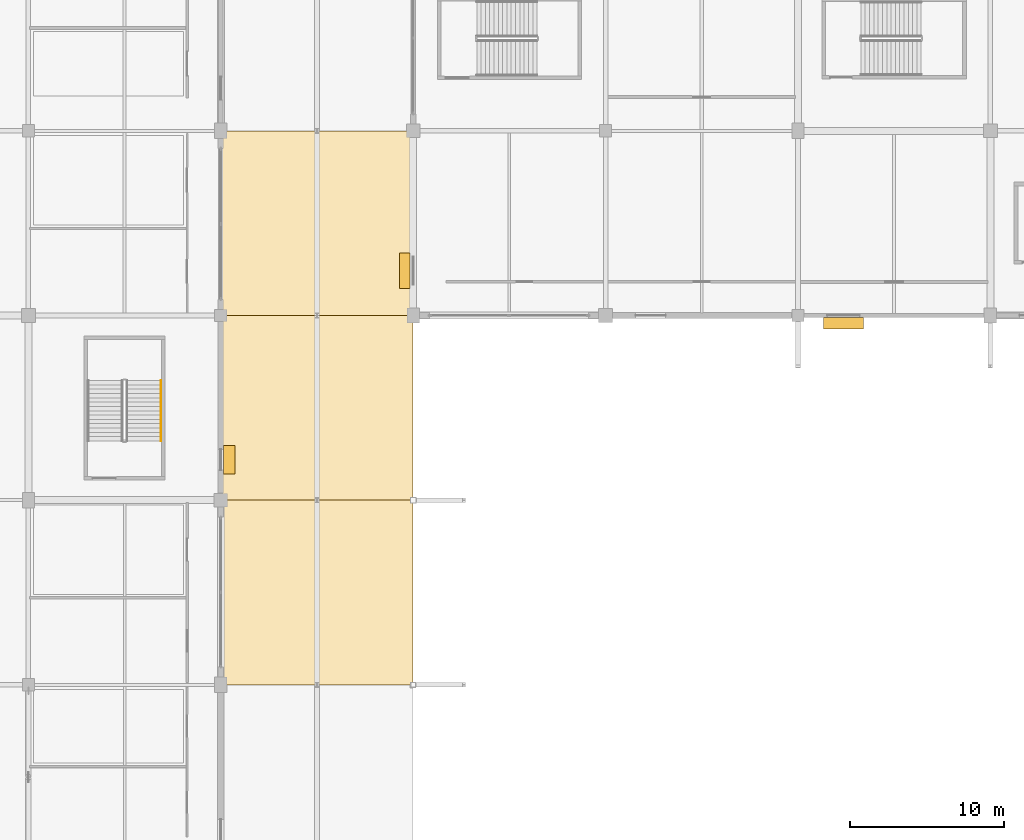
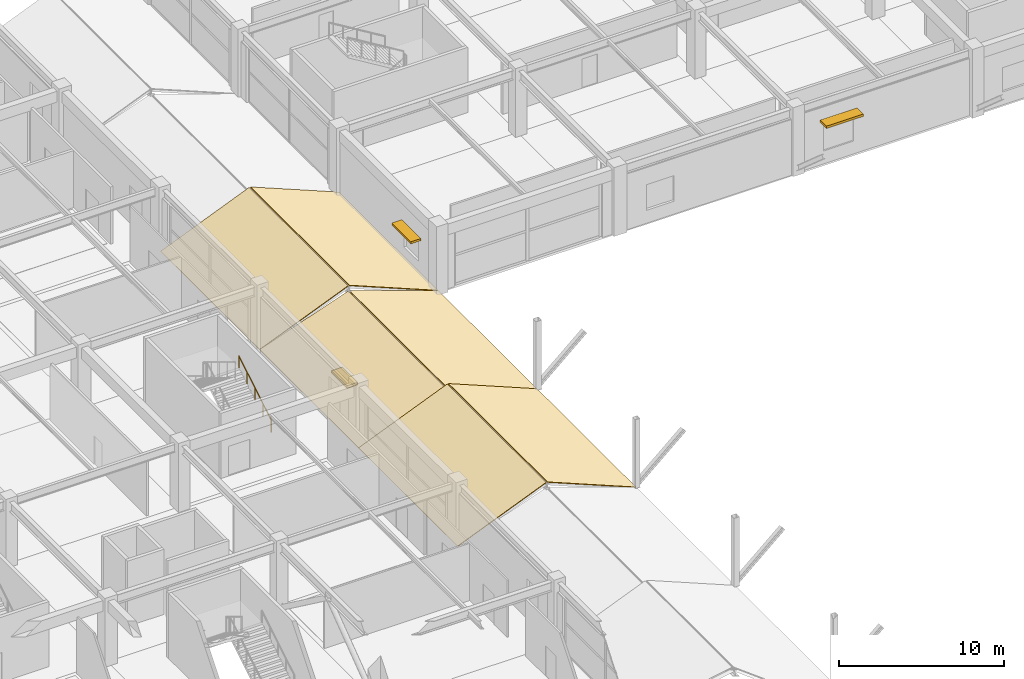
# One storey, part 99 of 116: 6 coverings, 3 shading devices, 1 railing.
"""IFC4 building model written with IfcOpenShell, lengths in metres."""

from ifc_helpers import new_model, si_unit, direction, frame, origin, origin_2d, place, context, subcontext, project, spatial, polyline, rectangle, circle, outline, extrude, material, layer, layer_set, type_object, element, save


model = new_model("IFC4")

# Units and contexts
model_context = context("Model", 3, precision=1e-05, world=origin(), true_north=direction((0.0, 1.0)))
body_context = subcontext(model_context, "Body", "Model", "MODEL_VIEW")
ifc_project = project(units=[si_unit("LENGTHUNIT", "METRE"), si_unit("AREAUNIT", "SQUARE_METRE"), si_unit("VOLUMEUNIT", "CUBIC_METRE"), si_unit("PLANEANGLEUNIT", "RADIAN"), si_unit("MASSUNIT", "GRAM", prefix="KILO")], contexts=[model_context])

# Site, building, storey
site_placement = place(None, origin())
site = spatial("IfcSite", under=ifc_project, at=site_placement, CompositionType="ELEMENT")
building_placement = place(site_placement, origin())
building = spatial("IfcBuilding", under=site, at=building_placement, Name="Kazenohara Klinker Stadium", CompositionType="ELEMENT")
storey_placement = place(building_placement, frame((0.0, 0.0, 10.199951171875)))
storey = spatial("IfcBuildingStorey", under=building, at=storey_placement, Name="L02", CompositionType="ELEMENT", Elevation=10.199951171875)

# Coverings
ifc_material_1 = material(Name="Insulated standing-seam copper roofing", Category="metal")
ifc_layer_1 = layer(ifc_material_1, 0.050048828125)
ifc_layer_set_1 = layer_set([ifc_layer_1], Name="Insulated standing-seam copper roofing")
covering_type = type_object("IfcCoveringType", Name="COV-ROOF-01", PredefinedType="ROOFING", material=ifc_layer_set_1)
for number, where, z_axis, x_axis, name in (
    (1, (36.5, 108.0, -0.030029296875), (-0.380383442935, 0.0, 0.924828868678), (0.924828868678, 0.0, 0.380383442935), "Standing-seam copper stepped wing roofing L02-A 4/K"),
    (2, (42.800048828125, 108.0, 2.52001953125), (0.380383442935, 0.0, 0.924828868678), (0.924828868678, 0.0, -0.380383442935), "Standing-seam copper stepped wing roofing L02-B 4/K"),
):
    element("IfcCovering", number, at=place(storey_placement, frame(where, z_axis=z_axis, x_axis=x_axis)), inside=storey, type_object=covering_type, Name=name, PredefinedType="ROOFING", context=body_context, shape_type="SweptSolid", body=[
        extrude(outline(polyline([(0.0, 0.0), (6.703890181040846, 0.0), (6.703890181040846, 12.0), (0.0, 12.0), (0.0, 0.0)])), origin(), (0.0, 0.0, -1.0), 0.050048828125),
    ])
for number, where, z_axis, x_axis, name in (
    (3, (36.5, 120.0, -0.030029296875), (-0.327656136105, 0.0, 0.944797045123), (0.944797045123, 0.0, 0.327656136105), "Standing-seam copper stepped wing roofing L02-A 4/L"),
    (4, (42.800048828125, 120.0, 2.1201171875), (0.327656136105, 0.0, 0.944797045123), (0.944797045123, 0.0, -0.327656136105), "Standing-seam copper stepped wing roofing L02-B 4/L"),
):
    element("IfcCovering", number, at=place(storey_placement, frame(where, z_axis=z_axis, x_axis=x_axis)), inside=storey, type_object=covering_type, Name=name, PredefinedType="ROOFING", context=body_context, shape_type="SweptSolid", body=[
        extrude(outline(polyline([(0.0, 0.0), (6.562204236223097, 0.0), (6.562204236223097, 12.0), (0.0, 12.0), (0.0, 0.0)])), origin(), (0.0, 0.0, -1.0), 0.050048828125),
    ])
for number, where, z_axis, x_axis, name in (
    (5, (36.5, 132.0, -0.030029296875), (-0.380383442935, 0.0, 0.924828868678), (0.924828868678, 0.0, 0.380383442935), "Standing-seam copper stepped wing roofing L02-A 4/M"),
    (6, (42.800048828125, 132.0, 2.52001953125), (0.380383442935, 0.0, 0.924828868678), (0.924828868678, 0.0, -0.380383442935), "Standing-seam copper stepped wing roofing L02-B 4/M"),
):
    element("IfcCovering", number, at=place(storey_placement, frame(where, z_axis=z_axis, x_axis=x_axis)), inside=storey, type_object=covering_type, Name=name, PredefinedType="ROOFING", context=body_context, shape_type="SweptSolid", body=[
        extrude(outline(polyline([(0.0, 0.0), (6.703890181040846, 0.0), (6.703890181040846, 12.0), (0.0, 12.0), (0.0, 0.0)])), origin(), (0.0, 0.0, -1.0), 0.050048828125),
    ])

# Railing
ifc_material_2 = material(Name="Brushed stainless steel 304 handrail", Category="steel")
ifc_layer_2 = layer(ifc_material_2, 0.050048828125)
ifc_layer_set_2 = layer_set([ifc_layer_2], Name="Brushed stainless steel 304 handrail")
railing_type = type_object("IfcRailingType", Name="RL-HND-900", PredefinedType="HANDRAIL", material=ifc_layer_set_2)
railing_placement = place(storey_placement, frame((32.610107421875, 123.85009765625, 0.170166015625)))
element("IfcRailing", 7, at=railing_placement, inside=storey, type_object=railing_type, Name="L02 ST18 stair handrail 1", PredefinedType="HANDRAIL", context=body_context, shape_type="SweptSolid", body=[
    extrude(circle(Radius=0.02392578125, at=origin_2d()), frame((0.0, 0.0, 0.8759765625), z_axis=(0.0, 0.854794262968, 0.518967020143), x_axis=(-1.0, 0.0, 0.0)), (0.0, 0.0, 1.0), 4.585693359375),
    extrude(circle(Radius=0.02099609375, at=origin_2d()), origin(), (0.0, 0.0, 1.0), 0.851806640625),
    extrude(circle(Radius=0.02099609375, at=origin_2d()), frame((0.0, 0.97998046875, 0.594970703125)), (0.0, 0.0, 1.0), 0.851806640625),
    extrude(circle(Radius=0.02099609375, at=origin_2d()), frame((0.0, 1.9599609375, 1.18994140625)), (0.0, 0.0, 1.0), 0.851806640625),
    extrude(circle(Radius=0.02099609375, at=origin_2d()), frame((0.0, 2.93994140625, 1.784912109375)), (0.0, 0.0, 1.0), 0.851806640625),
    extrude(circle(Radius=0.02099609375, at=origin_2d()), frame((0.0, 3.919921875, 2.3798828125)), (0.0, 0.0, 1.0), 0.851806640625),
])

# Shading devices
ifc_material_3 = material(Name="Bronze-anodised aluminium snow-hood sunshade", Category="aluminium")
shading_device_type_1 = type_object("IfcShadingDeviceType", Name="SHD-SUN-01", PredefinedType="AWNING", material=ifc_material_3)
shading_device_1_placement = place(storey_placement, frame((48.449951171875, 134.904052734375, 2.64990234375), z_axis=(0.0, 0.0, 1.0), x_axis=(0.0, 1.0, 0.0)))
element("IfcShadingDevice", 8, at=shading_device_1_placement, inside=storey, type_object=shading_device_type_1, Name="Bronze snow-hood sunshade SS01-15", PredefinedType="AWNING", context=body_context, shape_type="SweptSolid", body=[
    extrude(rectangle(XDim=2.300048828125, YDim=0.699951171875, at=origin_2d()), origin(), (0.0, 0.0, 1.0), 0.159912109375),
])
shading_device_type_2 = type_object("IfcShadingDeviceType", Name="SHD-SUN-02", PredefinedType="AWNING", material=ifc_material_3)
shading_device_2_placement = place(storey_placement, frame((37.0400390625, 122.62890625, 3.2900390625), z_axis=(0.0, 0.0, 1.0), x_axis=(0.0, 1.0, 0.0)))
element("IfcShadingDevice", 9, at=shading_device_2_placement, inside=storey, type_object=shading_device_type_2, Name="Bronze snow-hood sunshade SS02-14", PredefinedType="AWNING", context=body_context, shape_type="SweptSolid", body=[
    extrude(rectangle(XDim=1.85009765625, YDim=0.75, at=origin_2d()), origin(), (0.0, 0.0, 1.0), 0.179931640625),
])
shading_device_3_placement = place(storey_placement, frame((76.9541015625, 131.489990234375, 3.14013671875), z_axis=(0.0, 0.0, 1.0), x_axis=(1.0, 0.0, 0.0)))
element("IfcShadingDevice", 10, at=shading_device_3_placement, inside=storey, type_object=shading_device_type_2, Name="Bronze snow-hood sunshade SS02-16", PredefinedType="AWNING", context=body_context, shape_type="SweptSolid", body=[
    extrude(rectangle(XDim=2.60009765625, YDim=0.75, at=origin_2d()), origin(), (0.0, 0.0, 1.0), 0.179931640625),
])

save(model, "model.ifc")
